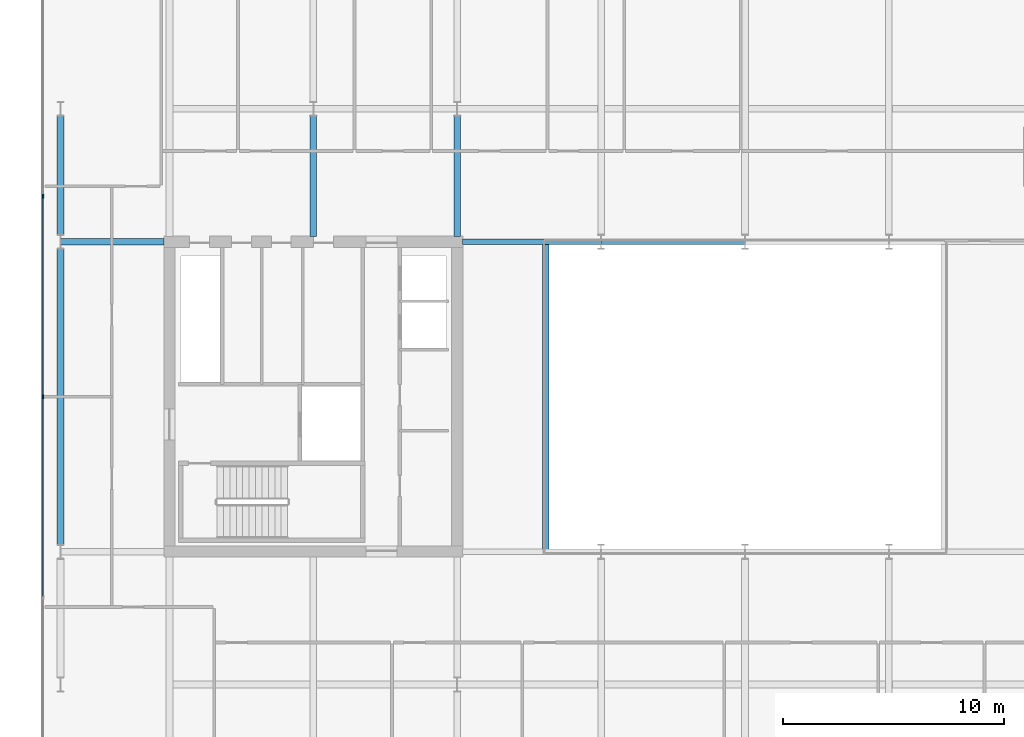
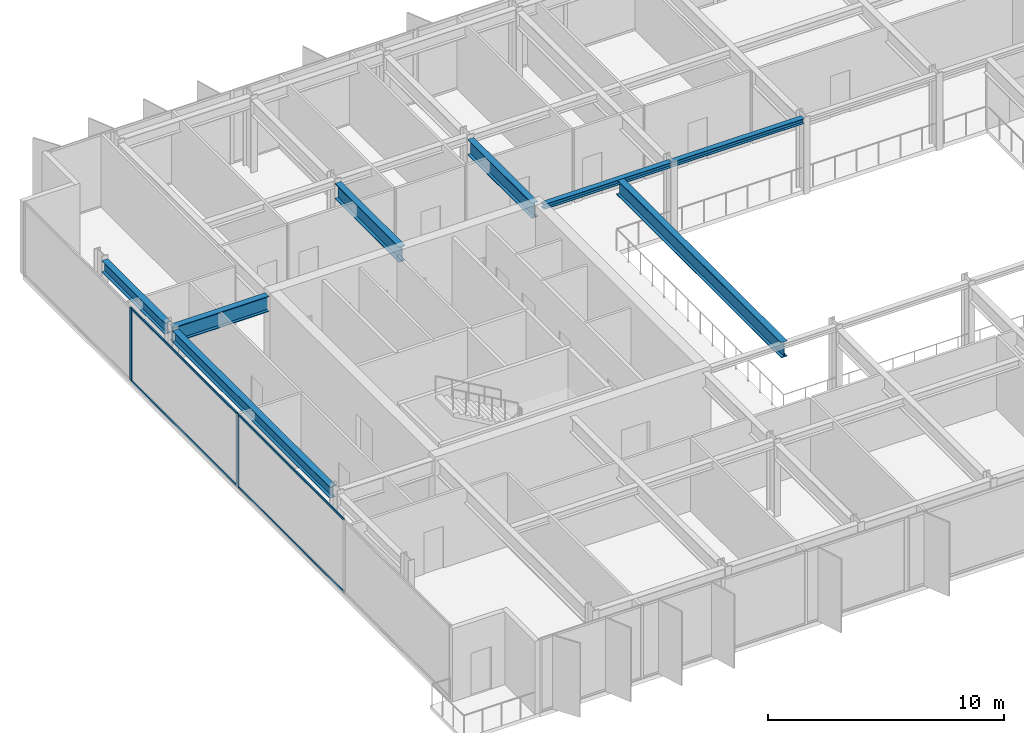
# One storey, part 5 of 20: 8 beams, 6 members, 1 element without a shape of its own.
"""IFC4 building model written with IfcOpenShell, lengths in metres."""

from ifc_helpers import new_model, si_unit, direction, frame, origin, origin_2d, place, context, subcontext, project, spatial, rectangle, i_section, extrude, material, layer, layer_set, material_profile, profile_set, type_object, element, aggregate, save


model = new_model("IFC4")

# Units and contexts
model_context = context("Model", 3, precision=1e-05, world=origin(), true_north=direction((0.0, 1.0)))
body_context = subcontext(model_context, "Body", "Model", "MODEL_VIEW")
ifc_project = project(units=[si_unit("LENGTHUNIT", "METRE"), si_unit("AREAUNIT", "SQUARE_METRE"), si_unit("VOLUMEUNIT", "CUBIC_METRE"), si_unit("PLANEANGLEUNIT", "RADIAN"), si_unit("MASSUNIT", "GRAM", prefix="KILO")], contexts=[model_context])

# Site, building, storey
site_placement = place(None, origin())
site = spatial("IfcSite", under=ifc_project, at=site_placement, CompositionType="ELEMENT")
building_placement = place(site_placement, origin())
building = spatial("IfcBuilding", under=site, at=building_placement, Name="Putna Gate Headquarters", CompositionType="ELEMENT")
storey_placement = place(building_placement, frame((0.0, 0.0, 286.39990234375)))
storey = spatial("IfcBuildingStorey", under=building, at=storey_placement, Name="L72", CompositionType="ELEMENT", Elevation=286.39990234375)

# Beams
ifc_material_1 = material(Name="Steel S355J2", Category="steel")
ifc_material_profile_1 = material_profile(ifc_material_1, i_section(OverallWidth=0.260009765625, OverallDepth=0.260009765625, WebThickness=0.010009765625, FlangeThickness=0.017578125, at=origin_2d()), Name="Steel S355J2")
ifc_profile_set_1 = profile_set([ifc_material_profile_1], Name="Steel S355J2")
beam_type_1 = type_object("IfcBeamType", Name="BM-ATRIUM-HEB260", PredefinedType="BEAM", material=ifc_profile_set_1)
beam_1_placement = place(storey_placement, frame((26.235107421875, 33.0, 3.658203125), z_axis=(1.0, 0.0, 0.0), x_axis=(0.0, 1.0, 0.0)))
element("IfcBeam", 1, at=beam_1_placement, inside=storey, type_object=beam_type_1, Name="L72 Atrium Edge Beam AN1", PredefinedType="BEAM", context=body_context, shape_type="SweptSolid", body=[
    extrude(i_section(OverallWidth=0.260009765625, OverallDepth=0.260009765625, WebThickness=0.010009765625, FlangeThickness=0.017578125, at=origin_2d()), origin(), (0.0, 0.0, 1.0), 6.2587890625),
])
beam_2_placement = place(storey_placement, frame((32.506103515625, 33.0, 3.658203125), z_axis=(1.0, 0.0, 0.0), x_axis=(0.0, 1.0, 0.0)))
element("IfcBeam", 2, at=beam_2_placement, inside=storey, type_object=beam_type_1, Name="L72 Atrium Edge Beam AN2", PredefinedType="BEAM", context=body_context, shape_type="SweptSolid", body=[
    extrude(i_section(OverallWidth=0.260009765625, OverallDepth=0.260009765625, WebThickness=0.010009765625, FlangeThickness=0.017578125, at=origin_2d()), origin(), (0.0, 0.0, 1.0), 6.48779296875),
])
ifc_material_profile_2 = material_profile(ifc_material_1, i_section(OverallWidth=0.300048828125, OverallDepth=0.800048828125, WebThickness=0.017578125, FlangeThickness=0.032958984375, at=origin_2d()), Name="Steel S355J2")
ifc_profile_set_2 = profile_set([ifc_material_profile_2], Name="Steel S355J2")
beam_type_2 = type_object("IfcBeamType", Name="BM-GIRD-P-HEB800", PredefinedType="USERDEFINED", material=ifc_profile_set_2)
beam_3_placement = place(storey_placement, frame((8.0859375, 33.0, 3.38818359375), z_axis=(1.0, 0.0, 0.0), x_axis=(0.0, 1.0, 0.0)))
element("IfcBeam", 3, at=beam_3_placement, inside=storey, type_object=beam_type_2, Name="L72 West Wing Girder Y33", ObjectType="GIRDER", PredefinedType="USERDEFINED", context=body_context, shape_type="SweptSolid", body=[
    extrude(i_section(OverallWidth=0.300048828125, OverallDepth=0.800048828125, WebThickness=0.017578125, FlangeThickness=0.032958984375, at=origin_2d()), origin(), (0.0, 0.0, 1.0), 4.678955078125),
])
for number, where, z_axis, x_axis, name in (
    (4, (19.5, 33.235107421875, 3.38818359375), (0.0, 1.0, 0.0), (-1.0, 0.0, 0.0), "L72 North Primary Girder X19-1"),
    (5, (26.0, 33.235107421875, 3.38818359375), (0.0, 1.0, 0.0), (-1.0, 0.0, 0.0), "L72 North Primary Girder X26-1"),
):
    element("IfcBeam", number, at=place(storey_placement, frame(where, z_axis=z_axis, x_axis=x_axis)), inside=storey, type_object=beam_type_2, Name=name, ObjectType="GIRDER", PredefinedType="USERDEFINED", context=body_context, shape_type="SweptSolid", body=[
        extrude(i_section(OverallWidth=0.300048828125, OverallDepth=0.800048828125, WebThickness=0.017578125, FlangeThickness=0.032958984375, at=origin_2d()), origin(), (0.0, 0.0, 1.0), 5.44287109375),
    ])
beam_4_placement = place(storey_placement, frame((30.0, 19.010009765625, 3.38818359375), z_axis=(0.0, 1.0, 0.0), x_axis=(-1.0, 0.0, 0.0)))
element("IfcBeam", 6, at=beam_4_placement, inside=storey, type_object=beam_type_2, Name="L72 Atrium Trim Girder AW", ObjectType="GIRDER", PredefinedType="USERDEFINED", context=body_context, shape_type="SweptSolid", body=[
    extrude(i_section(OverallWidth=0.300048828125, OverallDepth=0.800048828125, WebThickness=0.017578125, FlangeThickness=0.032958984375, at=origin_2d()), origin(), (0.0, 0.0, 1.0), 13.97998046875),
])
ifc_material_profile_3 = material_profile(ifc_material_1, i_section(OverallWidth=0.300048828125, OverallDepth=0.590087890625, WebThickness=0.012939453125, FlangeThickness=0.02490234375, at=origin_2d()), Name="Steel S355J2")
ifc_profile_set_3 = profile_set([ifc_material_profile_3], Name="Steel S355J2")
beam_type_3 = type_object("IfcBeamType", Name="BM-SPAN-Z4-HEA600", PredefinedType="SPANDREL", material=ifc_profile_set_3)
beam_5_placement = place(storey_placement, frame((8.080078125, 19.322021484375, 3.4931640625), z_axis=(0.0, 1.0, 0.0), x_axis=(-1.0, 0.0, 0.0)))
element("IfcBeam", 7, at=beam_5_placement, inside=storey, type_object=beam_type_3, Name="L72 W End Spandrel 2", PredefinedType="SPANDREL", context=body_context, shape_type="SweptSolid", body=[
    extrude(i_section(OverallWidth=0.300048828125, OverallDepth=0.590087890625, WebThickness=0.012939453125, FlangeThickness=0.02490234375, at=origin_2d()), origin(), (0.0, 0.0, 1.0), 13.35595703125),
])
beam_6_placement = place(storey_placement, frame((8.080078125, 33.322021484375, 3.4931640625), z_axis=(0.0, 1.0, 0.0), x_axis=(-1.0, 0.0, 0.0)))
element("IfcBeam", 8, at=beam_6_placement, inside=storey, type_object=beam_type_3, Name="L72 W End Spandrel 3", PredefinedType="SPANDREL", context=body_context, shape_type="SweptSolid", body=[
    extrude(i_section(OverallWidth=0.300048828125, OverallDepth=0.590087890625, WebThickness=0.012939453125, FlangeThickness=0.02490234375, at=origin_2d()), origin(), (0.0, 0.0, 1.0), 5.35595703125),
])

# Curtain wall, members
ifc_material_2 = material(Name="Anodised bronze aluminium curtain wall", Category="aluminium")
ifc_layer = layer(ifc_material_2, 0.179931640625)
ifc_layer_set = layer_set([ifc_layer], Name="Anodised bronze aluminium curtain wall")
curtain_wall_type = type_object("IfcCurtainWallType", Name="CW-SYS-Z5", PredefinedType="USERDEFINED", material=ifc_layer_set)
curtain_wall_placement = place(storey_placement, origin())
curtain_wall = element("IfcCurtainWall", 9, at=curtain_wall_placement, inside=storey, type_object=curtain_wall_type, Name="L72 West Curtain Wall", ObjectType="STICK CURTAIN WALL", PredefinedType="USERDEFINED")
ifc_material_3 = material(Name="Anodised bronze aluminium EN AW-6060", Category="aluminium")
ifc_material_profile_4 = material_profile(ifc_material_3, rectangle(XDim=0.070068359375, YDim=0.179931640625, at=origin_2d()), Name="Anodised bronze aluminium EN AW-6060")
ifc_profile_set_4 = profile_set([ifc_material_profile_4], Name="Anodised bronze aluminium EN AW-6060")
member_type_1 = type_object("IfcMemberType", Name="MULL-CWM-5", PredefinedType="MULLION", material=ifc_profile_set_4)
member_1_placement = place(storey_placement, frame((7.280029296875, 26.0, 0.0), z_axis=(0.0, 0.0, 1.0), x_axis=(-1.0, 0.0, 0.0)))
member_1 = element("IfcMember", 10, at=member_1_placement, type_object=member_type_1, Name="CWS-5 mullion 3", PredefinedType="MULLION", context=body_context, shape_type="SweptSolid", body=[
    extrude(rectangle(XDim=0.070068359375, YDim=0.179931640625, at=origin_2d()), origin(), (0.0, 0.0, 1.0), 3.7880859375),
])
member_2_placement = place(storey_placement, frame((7.280029296875, 35.050048828125, 0.0), z_axis=(0.0, 0.0, 1.0), x_axis=(-1.0, 0.0, 0.0)))
member_2 = element("IfcMember", 11, at=member_2_placement, type_object=member_type_1, Name="CWS-5 mullion 4", PredefinedType="MULLION", context=body_context, shape_type="SweptSolid", body=[
    extrude(rectangle(XDim=0.070068359375, YDim=0.179931640625, at=origin_2d()), origin(), (0.0, 0.0, 1.0), 3.7880859375),
])
ifc_material_profile_5 = material_profile(ifc_material_3, rectangle(XDim=0.06005859375, YDim=0.10009765625, at=origin_2d()), Name="Anodised bronze aluminium EN AW-6060")
ifc_profile_set_5 = profile_set([ifc_material_profile_5], Name="Anodised bronze aluminium EN AW-6060")
member_type_2 = type_object("IfcMemberType", Name="TRAN-CWT-5", PredefinedType="USERDEFINED", material=ifc_profile_set_5)
member_3_placement = place(storey_placement, frame((7.280029296875, 16.985107421875, 0.030029296875), z_axis=(0.0, 1.0, 0.0), x_axis=(-1.0, 0.0, 0.0)))
member_3 = element("IfcMember", 12, at=member_3_placement, type_object=member_type_2, Name="CWS-5 transom 2.1", ObjectType="TRANSOM", PredefinedType="USERDEFINED", context=body_context, shape_type="SweptSolid", body=[
    extrude(rectangle(XDim=0.06005859375, YDim=0.10009765625, at=origin_2d()), origin(), (0.0, 0.0, 1.0), 8.97998046875),
])
member_4_placement = place(storey_placement, frame((7.280029296875, 16.985107421875, 3.758056640625), z_axis=(0.0, 1.0, 0.0), x_axis=(-1.0, 0.0, 0.0)))
member_4 = element("IfcMember", 13, at=member_4_placement, type_object=member_type_2, Name="CWS-5 transom 2.2", ObjectType="TRANSOM", PredefinedType="USERDEFINED", context=body_context, shape_type="SweptSolid", body=[
    extrude(rectangle(XDim=0.06005859375, YDim=0.10009765625, at=origin_2d()), origin(), (0.0, 0.0, 1.0), 8.97998046875),
])
member_5_placement = place(storey_placement, frame((7.280029296875, 26.034912109375, 0.030029296875), z_axis=(0.0, 1.0, 0.0), x_axis=(-1.0, 0.0, 0.0)))
member_5 = element("IfcMember", 14, at=member_5_placement, type_object=member_type_2, Name="CWS-5 transom 3.1", ObjectType="TRANSOM", PredefinedType="USERDEFINED", context=body_context, shape_type="SweptSolid", body=[
    extrude(rectangle(XDim=0.06005859375, YDim=0.10009765625, at=origin_2d()), origin(), (0.0, 0.0, 1.0), 8.97998046875),
])
member_6_placement = place(storey_placement, frame((7.280029296875, 26.034912109375, 3.758056640625), z_axis=(0.0, 1.0, 0.0), x_axis=(-1.0, 0.0, 0.0)))
member_6 = element("IfcMember", 15, at=member_6_placement, type_object=member_type_2, Name="CWS-5 transom 3.2", ObjectType="TRANSOM", PredefinedType="USERDEFINED", context=body_context, shape_type="SweptSolid", body=[
    extrude(rectangle(XDim=0.06005859375, YDim=0.10009765625, at=origin_2d()), origin(), (0.0, 0.0, 1.0), 8.97998046875),
])
aggregate(curtain_wall, [member_1, member_2, member_3, member_4, member_5, member_6])

save(model, "model.ifc")
